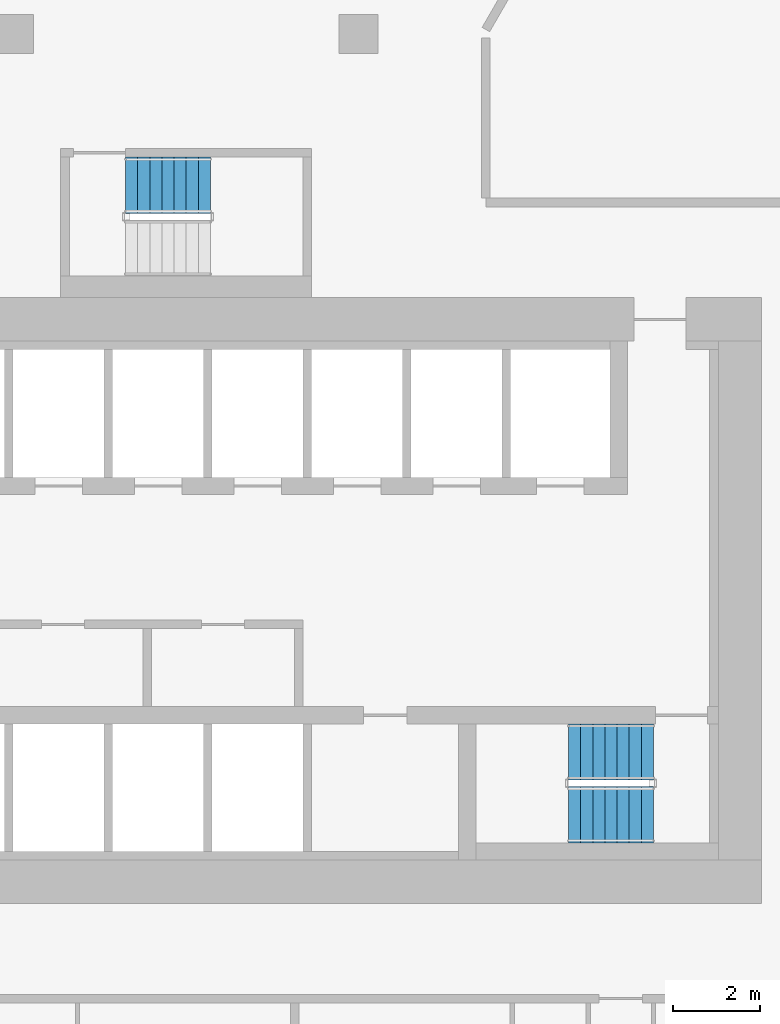
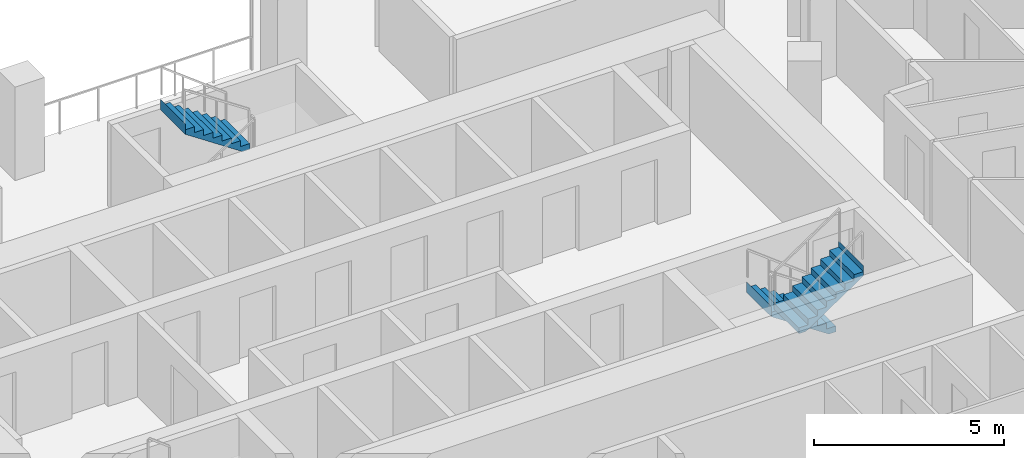
# One storey, part 11 of 15: 3 stair flights, 2 elements without a shape of their own.
"""IFC4 building model written with IfcOpenShell, lengths in metres."""

from ifc_helpers import new_model, si_unit, direction, frame, origin, place, context, subcontext, project, spatial, triangles, material, type_object, element, aggregate, save


model = new_model("IFC4")

# Units and contexts
model_context = context("Model", 3, precision=1e-05, world=origin(), true_north=direction((0.0, 1.0)))
body_context = subcontext(model_context, "Body", "Model", "MODEL_VIEW")
ifc_project = project(units=[si_unit("LENGTHUNIT", "METRE"), si_unit("AREAUNIT", "SQUARE_METRE"), si_unit("VOLUMEUNIT", "CUBIC_METRE"), si_unit("PLANEANGLEUNIT", "RADIAN"), si_unit("MASSUNIT", "GRAM", prefix="KILO")], contexts=[model_context])

# Site, building, storey
site_placement = place(None, origin())
site = spatial("IfcSite", under=ifc_project, at=site_placement, CompositionType="ELEMENT")
building_placement = place(site_placement, origin())
building = spatial("IfcBuilding", under=site, at=building_placement, Name="Beryl Residences", CompositionType="ELEMENT")
storey_placement = place(building_placement, frame((0.0, 0.0, 102.0)))
storey = spatial("IfcBuildingStorey", under=building, at=storey_placement, Name="L31", CompositionType="ELEMENT", Elevation=102.0)

# Stair, stair flights
ifc_material_1 = material(Name="Concrete C40/50", Category="concrete")
stair_type = type_object("IfcStairType", Name="ST1 protected exit stair, half-turn, 1300 mm flights", PredefinedType="HALF_TURN_STAIR", material=ifc_material_1)
stair_1_placement = place(storey_placement, origin())
stair_1 = element("IfcStair", 1, at=stair_1_placement, inside=storey, type_object=stair_type, Name="L31 PROTECTED EXIT STAIR ST-3", PredefinedType="HALF_TURN_STAIR")
ifc_material_2 = material(Name="Concrete C40/50", Category="concrete")
stair_flight_type = type_object("IfcStairFlightType", Name="SF1 stair flight 1300 mm", PredefinedType="STRAIGHT", material=ifc_material_2)
stair_flight_1_placement = place(storey_placement, frame((10.800048828125, -15.5, 0.0), z_axis=(0.0, 0.0, 1.0), x_axis=(-1.0, 0.0, 0.0)))
stair_flight_1 = element("IfcStairFlight", 2, at=stair_flight_1_placement, type_object=stair_flight_type, Name="ST-3 flight 1", NumberOfRisers=8, NumberOfTreads=7, PredefinedType="STRAIGHT", RiserHeight=0.1875, TreadLength=0.28, context=body_context, shape_type="Tessellation", body=[
    triangles([(0.0, -0.64990234375, 0.0), (0.0, -0.324951171875, 0.0), (0.0, 0.0, 0.0), (0.0, 0.324951171875, 0.0), (0.0, 0.64990234375, 0.0), (0.0, -0.64990234375, 0.1875), (0.0, -0.324951171875, 0.1875), (0.0, 0.0, 0.1875), (0.0, 0.324951171875, 0.1875), (0.0, 0.64990234375, 0.1875), (0.280029296875, -0.64990234375, 0.1875), (0.280029296875, -0.324951171875, 0.1875), (0.280029296875, 0.0, 0.1875), (0.280029296875, 0.324951171875, 0.1875), (0.280029296875, 0.64990234375, 0.1875), (0.280029296875, -0.64990234375, 0.375), (0.280029296875, -0.324951171875, 0.375), (0.280029296875, 0.0, 0.375), (0.280029296875, 0.324951171875, 0.375), (0.280029296875, 0.64990234375, 0.375), (0.56005859375, -0.64990234375, 0.375), (0.56005859375, -0.324951171875, 0.375), (0.56005859375, 0.0, 0.375), (0.56005859375, 0.324951171875, 0.375), (0.56005859375, 0.64990234375, 0.375), (0.56005859375, -0.64990234375, 0.5625), (0.56005859375, -0.324951171875, 0.5625), (0.56005859375, 0.0, 0.5625), (0.56005859375, 0.324951171875, 0.5625), (0.56005859375, 0.64990234375, 0.5625), (0.840087890625, -0.64990234375, 0.5625), (0.840087890625, -0.324951171875, 0.5625), (0.840087890625, 0.0, 0.5625), (0.840087890625, 0.324951171875, 0.5625), (0.840087890625, 0.64990234375, 0.5625), (0.840087890625, -0.64990234375, 0.75), (0.840087890625, -0.324951171875, 0.75), (0.840087890625, 0.0, 0.75), (0.840087890625, 0.324951171875, 0.75), (0.840087890625, 0.64990234375, 0.75), (1.1201171875, -0.64990234375, 0.75), (1.1201171875, -0.324951171875, 0.75), (1.1201171875, 0.0, 0.75), (1.1201171875, 0.324951171875, 0.75), (1.1201171875, 0.64990234375, 0.75), (1.1201171875, -0.64990234375, 0.9375), (1.1201171875, -0.324951171875, 0.9375), (1.1201171875, 0.0, 0.9375), (1.1201171875, 0.324951171875, 0.9375), (1.1201171875, 0.64990234375, 0.9375), (1.39990234375, -0.64990234375, 0.9375), (1.39990234375, -0.324951171875, 0.9375), (1.39990234375, 0.0, 0.9375), (1.39990234375, 0.324951171875, 0.9375), (1.39990234375, 0.64990234375, 0.9375), (1.39990234375, -0.64990234375, 1.125), (1.39990234375, -0.324951171875, 1.125), (1.39990234375, 0.0, 1.125), (1.39990234375, 0.324951171875, 1.125), (1.39990234375, 0.64990234375, 1.125), (1.679931640625, -0.64990234375, 1.125), (1.679931640625, -0.324951171875, 1.125), (1.679931640625, 0.0, 1.125), (1.679931640625, 0.324951171875, 1.125), (1.679931640625, 0.64990234375, 1.125), (1.679931640625, -0.64990234375, 1.3125), (1.679931640625, -0.324951171875, 1.3125), (1.679931640625, 0.0, 1.3125), (1.679931640625, 0.324951171875, 1.3125), (1.679931640625, 0.64990234375, 1.3125), (1.9599609375, -0.64990234375, 1.3125), (1.9599609375, -0.324951171875, 1.3125), (1.9599609375, 0.0, 1.3125), (1.9599609375, 0.324951171875, 1.3125), (1.9599609375, 0.64990234375, 1.3125), (1.9599609375, -0.64990234375, 1.5), (1.9599609375, -0.324951171875, 1.5), (1.9599609375, 0.0, 1.5), (1.9599609375, 0.324951171875, 1.5), (1.9599609375, 0.64990234375, 1.5), (1.9609375, -0.64990234375, 1.5), (1.9609375, -0.324951171875, 1.5), (1.9609375, 0.0, 1.5), (1.9609375, 0.324951171875, 1.5), (1.9609375, 0.64990234375, 1.5), (1.9609375, -0.64990234375, 1.16796875), (1.9609375, -0.324951171875, 1.16796875), (1.9609375, 0.0, 1.16796875), (1.9609375, 0.324951171875, 1.16796875), (1.9609375, 0.64990234375, 1.16796875), (0.216796875, -0.64990234375, 0.0), (0.216796875, -0.324951171875, 0.0), (0.216796875, 0.0, 0.0), (0.216796875, 0.324951171875, 0.0), (0.216796875, 0.64990234375, 0.0)], [[1, 6, 7], [1, 7, 2], [2, 7, 8], [2, 8, 3], [3, 8, 9], [3, 9, 4], [4, 9, 10], [4, 10, 5], [6, 11, 12], [6, 12, 7], [7, 12, 13], [7, 13, 8], [8, 13, 14], [8, 14, 9], [9, 14, 15], [9, 15, 10], [11, 16, 17], [11, 17, 12], [12, 17, 18], [12, 18, 13], [13, 18, 19], [13, 19, 14], [14, 19, 20], [14, 20, 15], [16, 21, 22], [16, 22, 17], [17, 22, 23], [17, 23, 18], [18, 23, 24], [18, 24, 19], [19, 24, 25], [19, 25, 20], [21, 26, 27], [21, 27, 22], [22, 27, 28], [22, 28, 23], [23, 28, 29], [23, 29, 24], [24, 29, 30], [24, 30, 25], [26, 31, 32], [26, 32, 27], [27, 32, 33], [27, 33, 28], [28, 33, 34], [28, 34, 29], [29, 34, 35], [29, 35, 30], [31, 36, 37], [31, 37, 32], [32, 37, 38], [32, 38, 33], [33, 38, 39], [33, 39, 34], [34, 39, 40], [34, 40, 35], [36, 41, 42], [36, 42, 37], [37, 42, 43], [37, 43, 38], [38, 43, 44], [38, 44, 39], [39, 44, 45], [39, 45, 40], [41, 46, 47], [41, 47, 42], [42, 47, 48], [42, 48, 43], [43, 48, 49], [43, 49, 44], [44, 49, 50], [44, 50, 45], [46, 51, 52], [46, 52, 47], [47, 52, 53], [47, 53, 48], [48, 53, 54], [48, 54, 49], [49, 54, 55], [49, 55, 50], [51, 56, 57], [51, 57, 52], [52, 57, 58], [52, 58, 53], [53, 58, 59], [53, 59, 54], [54, 59, 60], [54, 60, 55], [56, 61, 62], [56, 62, 57], [57, 62, 63], [57, 63, 58], [58, 63, 64], [58, 64, 59], [59, 64, 65], [59, 65, 60], [61, 66, 67], [61, 67, 62], [62, 67, 68], [62, 68, 63], [63, 68, 69], [63, 69, 64], [64, 69, 70], [64, 70, 65], [66, 71, 72], [66, 72, 67], [67, 72, 73], [67, 73, 68], [68, 73, 74], [68, 74, 69], [69, 74, 75], [69, 75, 70], [71, 76, 77], [71, 77, 72], [72, 77, 78], [72, 78, 73], [73, 78, 79], [73, 79, 74], [74, 79, 80], [74, 80, 75], [76, 81, 82], [76, 82, 77], [77, 82, 83], [77, 83, 78], [78, 83, 84], [78, 84, 79], [79, 84, 85], [79, 85, 80], [81, 86, 87], [81, 87, 82], [82, 87, 88], [82, 88, 83], [83, 88, 89], [83, 89, 84], [84, 89, 90], [84, 90, 85], [86, 91, 92], [86, 92, 87], [87, 92, 93], [87, 93, 88], [88, 93, 94], [88, 94, 89], [89, 94, 95], [89, 95, 90], [91, 1, 2], [91, 2, 92], [92, 2, 3], [92, 3, 93], [93, 3, 4], [93, 4, 94], [94, 4, 5], [94, 5, 95], [1, 91, 86], [5, 90, 95], [86, 81, 76], [90, 80, 85], [86, 76, 71], [90, 75, 80], [86, 71, 66], [90, 70, 75], [86, 66, 61], [90, 65, 70], [61, 56, 51], [65, 55, 60], [86, 61, 51], [90, 55, 65], [51, 46, 41], [55, 45, 50], [86, 51, 41], [90, 45, 55], [41, 36, 31], [45, 35, 40], [86, 41, 31], [90, 35, 45], [31, 26, 21], [35, 25, 30], [86, 31, 21], [90, 25, 35], [21, 16, 11], [25, 15, 20], [86, 21, 11], [90, 15, 25], [1, 86, 11], [5, 15, 90], [11, 6, 1], [15, 5, 10]], closed=True),
])
stair_flight_2_placement = place(storey_placement, frame((8.840087890625, -16.949951171875, 1.5), z_axis=(0.0, 0.0, 1.0), x_axis=(1.0, 0.0, 0.0)))
stair_flight_2 = element("IfcStairFlight", 3, at=stair_flight_2_placement, type_object=stair_flight_type, Name="ST-3 flight 2", NumberOfRisers=8, NumberOfTreads=7, PredefinedType="STRAIGHT", RiserHeight=0.1875, TreadLength=0.28, context=body_context, shape_type="Tessellation", body=[
    triangles([(0.0, -0.64990234375, 0.0), (0.0, -0.324951171875, 0.0), (0.0, 0.0, 0.0), (0.0, 0.324951171875, 0.0), (0.0, 0.64990234375, 0.0), (0.0, -0.64990234375, 0.1875), (0.0, -0.324951171875, 0.1875), (0.0, 0.0, 0.1875), (0.0, 0.324951171875, 0.1875), (0.0, 0.64990234375, 0.1875), (0.280029296875, -0.64990234375, 0.1875), (0.280029296875, -0.324951171875, 0.1875), (0.280029296875, 0.0, 0.1875), (0.280029296875, 0.324951171875, 0.1875), (0.280029296875, 0.64990234375, 0.1875), (0.280029296875, -0.64990234375, 0.375), (0.280029296875, -0.324951171875, 0.375), (0.280029296875, 0.0, 0.375), (0.280029296875, 0.324951171875, 0.375), (0.280029296875, 0.64990234375, 0.375), (0.56005859375, -0.64990234375, 0.375), (0.56005859375, -0.324951171875, 0.375), (0.56005859375, 0.0, 0.375), (0.56005859375, 0.324951171875, 0.375), (0.56005859375, 0.64990234375, 0.375), (0.56005859375, -0.64990234375, 0.5625), (0.56005859375, -0.324951171875, 0.5625), (0.56005859375, 0.0, 0.5625), (0.56005859375, 0.324951171875, 0.5625), (0.56005859375, 0.64990234375, 0.5625), (0.840087890625, -0.64990234375, 0.5625), (0.840087890625, -0.324951171875, 0.5625), (0.840087890625, 0.0, 0.5625), (0.840087890625, 0.324951171875, 0.5625), (0.840087890625, 0.64990234375, 0.5625), (0.840087890625, -0.64990234375, 0.75), (0.840087890625, -0.324951171875, 0.75), (0.840087890625, 0.0, 0.75), (0.840087890625, 0.324951171875, 0.75), (0.840087890625, 0.64990234375, 0.75), (1.1201171875, -0.64990234375, 0.75), (1.1201171875, -0.324951171875, 0.75), (1.1201171875, 0.0, 0.75), (1.1201171875, 0.324951171875, 0.75), (1.1201171875, 0.64990234375, 0.75), (1.1201171875, -0.64990234375, 0.9375), (1.1201171875, -0.324951171875, 0.9375), (1.1201171875, 0.0, 0.9375), (1.1201171875, 0.324951171875, 0.9375), (1.1201171875, 0.64990234375, 0.9375), (1.39990234375, -0.64990234375, 0.9375), (1.39990234375, -0.324951171875, 0.9375), (1.39990234375, 0.0, 0.9375), (1.39990234375, 0.324951171875, 0.9375), (1.39990234375, 0.64990234375, 0.9375), (1.39990234375, -0.64990234375, 1.125), (1.39990234375, -0.324951171875, 1.125), (1.39990234375, 0.0, 1.125), (1.39990234375, 0.324951171875, 1.125), (1.39990234375, 0.64990234375, 1.125), (1.679931640625, -0.64990234375, 1.125), (1.679931640625, -0.324951171875, 1.125), (1.679931640625, 0.0, 1.125), (1.679931640625, 0.324951171875, 1.125), (1.679931640625, 0.64990234375, 1.125), (1.679931640625, -0.64990234375, 1.3125), (1.679931640625, -0.324951171875, 1.3125), (1.679931640625, 0.0, 1.3125), (1.679931640625, 0.324951171875, 1.3125), (1.679931640625, 0.64990234375, 1.3125), (1.9599609375, -0.64990234375, 1.3125), (1.9599609375, -0.324951171875, 1.3125), (1.9599609375, 0.0, 1.3125), (1.9599609375, 0.324951171875, 1.3125), (1.9599609375, 0.64990234375, 1.3125), (1.9599609375, -0.64990234375, 1.5), (1.9599609375, -0.324951171875, 1.5), (1.9599609375, 0.0, 1.5), (1.9599609375, 0.324951171875, 1.5), (1.9599609375, 0.64990234375, 1.5), (1.9609375, -0.64990234375, 1.5), (1.9609375, -0.324951171875, 1.5), (1.9609375, 0.0, 1.5), (1.9609375, 0.324951171875, 1.5), (1.9609375, 0.64990234375, 1.5), (1.9609375, -0.64990234375, 1.16796875), (1.9609375, -0.324951171875, 1.16796875), (1.9609375, 0.0, 1.16796875), (1.9609375, 0.324951171875, 1.16796875), (1.9609375, 0.64990234375, 1.16796875), (0.216796875, -0.64990234375, 0.0), (0.216796875, -0.324951171875, 0.0), (0.216796875, 0.0, 0.0), (0.216796875, 0.324951171875, 0.0), (0.216796875, 0.64990234375, 0.0)], [[1, 6, 7], [1, 7, 2], [2, 7, 8], [2, 8, 3], [3, 8, 9], [3, 9, 4], [4, 9, 10], [4, 10, 5], [6, 11, 12], [6, 12, 7], [7, 12, 13], [7, 13, 8], [8, 13, 14], [8, 14, 9], [9, 14, 15], [9, 15, 10], [11, 16, 17], [11, 17, 12], [12, 17, 18], [12, 18, 13], [13, 18, 19], [13, 19, 14], [14, 19, 20], [14, 20, 15], [16, 21, 22], [16, 22, 17], [17, 22, 23], [17, 23, 18], [18, 23, 24], [18, 24, 19], [19, 24, 25], [19, 25, 20], [21, 26, 27], [21, 27, 22], [22, 27, 28], [22, 28, 23], [23, 28, 29], [23, 29, 24], [24, 29, 30], [24, 30, 25], [26, 31, 32], [26, 32, 27], [27, 32, 33], [27, 33, 28], [28, 33, 34], [28, 34, 29], [29, 34, 35], [29, 35, 30], [31, 36, 37], [31, 37, 32], [32, 37, 38], [32, 38, 33], [33, 38, 39], [33, 39, 34], [34, 39, 40], [34, 40, 35], [36, 41, 42], [36, 42, 37], [37, 42, 43], [37, 43, 38], [38, 43, 44], [38, 44, 39], [39, 44, 45], [39, 45, 40], [41, 46, 47], [41, 47, 42], [42, 47, 48], [42, 48, 43], [43, 48, 49], [43, 49, 44], [44, 49, 50], [44, 50, 45], [46, 51, 52], [46, 52, 47], [47, 52, 53], [47, 53, 48], [48, 53, 54], [48, 54, 49], [49, 54, 55], [49, 55, 50], [51, 56, 57], [51, 57, 52], [52, 57, 58], [52, 58, 53], [53, 58, 59], [53, 59, 54], [54, 59, 60], [54, 60, 55], [56, 61, 62], [56, 62, 57], [57, 62, 63], [57, 63, 58], [58, 63, 64], [58, 64, 59], [59, 64, 65], [59, 65, 60], [61, 66, 67], [61, 67, 62], [62, 67, 68], [62, 68, 63], [63, 68, 69], [63, 69, 64], [64, 69, 70], [64, 70, 65], [66, 71, 72], [66, 72, 67], [67, 72, 73], [67, 73, 68], [68, 73, 74], [68, 74, 69], [69, 74, 75], [69, 75, 70], [71, 76, 77], [71, 77, 72], [72, 77, 78], [72, 78, 73], [73, 78, 79], [73, 79, 74], [74, 79, 80], [74, 80, 75], [76, 81, 82], [76, 82, 77], [77, 82, 83], [77, 83, 78], [78, 83, 84], [78, 84, 79], [79, 84, 85], [79, 85, 80], [81, 86, 87], [81, 87, 82], [82, 87, 88], [82, 88, 83], [83, 88, 89], [83, 89, 84], [84, 89, 90], [84, 90, 85], [86, 91, 92], [86, 92, 87], [87, 92, 93], [87, 93, 88], [88, 93, 94], [88, 94, 89], [89, 94, 95], [89, 95, 90], [91, 1, 2], [91, 2, 92], [92, 2, 3], [92, 3, 93], [93, 3, 4], [93, 4, 94], [94, 4, 5], [94, 5, 95], [1, 91, 86], [5, 90, 95], [86, 81, 76], [90, 80, 85], [86, 76, 71], [90, 75, 80], [86, 71, 66], [90, 70, 75], [86, 66, 61], [90, 65, 70], [61, 56, 51], [65, 55, 60], [86, 61, 51], [90, 55, 65], [51, 46, 41], [55, 45, 50], [86, 51, 41], [90, 45, 55], [41, 36, 31], [45, 35, 40], [86, 41, 31], [90, 35, 45], [31, 26, 21], [35, 25, 30], [86, 31, 21], [90, 25, 35], [21, 16, 11], [25, 15, 20], [86, 21, 11], [90, 15, 25], [1, 86, 11], [5, 15, 90], [11, 6, 1], [15, 5, 10]], closed=True),
])
aggregate(stair_1, [stair_flight_1, stair_flight_2])

# Stair, stair flight
stair_2_placement = place(storey_placement, origin())
stair_2 = element("IfcStair", 4, at=stair_2_placement, inside=storey, type_object=stair_type, Name="L31 PROTECTED EXIT STAIR ST-4", PredefinedType="HALF_TURN_STAIR")
stair_flight_3_placement = place(storey_placement, frame((0.56005859375, -2.39990234375, 1.5), z_axis=(0.0, 0.0, 1.0), x_axis=(-1.0, 0.0, 0.0)))
stair_flight_3 = element("IfcStairFlight", 5, at=stair_flight_3_placement, type_object=stair_flight_type, Name="ST-4 flight 2", NumberOfRisers=8, NumberOfTreads=7, PredefinedType="STRAIGHT", RiserHeight=0.1875, TreadLength=0.28, context=body_context, shape_type="Tessellation", body=[
    triangles([(0.0, -0.64990234375, 0.0), (0.0, -0.324951171875, 0.0), (0.0, 0.0, 0.0), (0.0, 0.324951171875, 0.0), (0.0, 0.64990234375, 0.0), (0.0, -0.64990234375, 0.1875), (0.0, -0.324951171875, 0.1875), (0.0, 0.0, 0.1875), (0.0, 0.324951171875, 0.1875), (0.0, 0.64990234375, 0.1875), (0.280029296875, -0.64990234375, 0.1875), (0.280029296875, -0.324951171875, 0.1875), (0.280029296875, 0.0, 0.1875), (0.280029296875, 0.324951171875, 0.1875), (0.280029296875, 0.64990234375, 0.1875), (0.280029296875, -0.64990234375, 0.375), (0.280029296875, -0.324951171875, 0.375), (0.280029296875, 0.0, 0.375), (0.280029296875, 0.324951171875, 0.375), (0.280029296875, 0.64990234375, 0.375), (0.56005859375, -0.64990234375, 0.375), (0.56005859375, -0.324951171875, 0.375), (0.56005859375, 0.0, 0.375), (0.56005859375, 0.324951171875, 0.375), (0.56005859375, 0.64990234375, 0.375), (0.56005859375, -0.64990234375, 0.5625), (0.56005859375, -0.324951171875, 0.5625), (0.56005859375, 0.0, 0.5625), (0.56005859375, 0.324951171875, 0.5625), (0.56005859375, 0.64990234375, 0.5625), (0.840087890625, -0.64990234375, 0.5625), (0.840087890625, -0.324951171875, 0.5625), (0.840087890625, 0.0, 0.5625), (0.840087890625, 0.324951171875, 0.5625), (0.840087890625, 0.64990234375, 0.5625), (0.840087890625, -0.64990234375, 0.75), (0.840087890625, -0.324951171875, 0.75), (0.840087890625, 0.0, 0.75), (0.840087890625, 0.324951171875, 0.75), (0.840087890625, 0.64990234375, 0.75), (1.1201171875, -0.64990234375, 0.75), (1.1201171875, -0.324951171875, 0.75), (1.1201171875, 0.0, 0.75), (1.1201171875, 0.324951171875, 0.75), (1.1201171875, 0.64990234375, 0.75), (1.1201171875, -0.64990234375, 0.9375), (1.1201171875, -0.324951171875, 0.9375), (1.1201171875, 0.0, 0.9375), (1.1201171875, 0.324951171875, 0.9375), (1.1201171875, 0.64990234375, 0.9375), (1.39990234375, -0.64990234375, 0.9375), (1.39990234375, -0.324951171875, 0.9375), (1.39990234375, 0.0, 0.9375), (1.39990234375, 0.324951171875, 0.9375), (1.39990234375, 0.64990234375, 0.9375), (1.39990234375, -0.64990234375, 1.125), (1.39990234375, -0.324951171875, 1.125), (1.39990234375, 0.0, 1.125), (1.39990234375, 0.324951171875, 1.125), (1.39990234375, 0.64990234375, 1.125), (1.679931640625, -0.64990234375, 1.125), (1.679931640625, -0.324951171875, 1.125), (1.679931640625, 0.0, 1.125), (1.679931640625, 0.324951171875, 1.125), (1.679931640625, 0.64990234375, 1.125), (1.679931640625, -0.64990234375, 1.3125), (1.679931640625, -0.324951171875, 1.3125), (1.679931640625, 0.0, 1.3125), (1.679931640625, 0.324951171875, 1.3125), (1.679931640625, 0.64990234375, 1.3125), (1.9599609375, -0.64990234375, 1.3125), (1.9599609375, -0.324951171875, 1.3125), (1.9599609375, 0.0, 1.3125), (1.9599609375, 0.324951171875, 1.3125), (1.9599609375, 0.64990234375, 1.3125), (1.9599609375, -0.64990234375, 1.5), (1.9599609375, -0.324951171875, 1.5), (1.9599609375, 0.0, 1.5), (1.9599609375, 0.324951171875, 1.5), (1.9599609375, 0.64990234375, 1.5), (1.9609375, -0.64990234375, 1.5), (1.9609375, -0.324951171875, 1.5), (1.9609375, 0.0, 1.5), (1.9609375, 0.324951171875, 1.5), (1.9609375, 0.64990234375, 1.5), (1.9609375, -0.64990234375, 1.16796875), (1.9609375, -0.324951171875, 1.16796875), (1.9609375, 0.0, 1.16796875), (1.9609375, 0.324951171875, 1.16796875), (1.9609375, 0.64990234375, 1.16796875), (0.216796875, -0.64990234375, 0.0), (0.216796875, -0.324951171875, 0.0), (0.216796875, 0.0, 0.0), (0.216796875, 0.324951171875, 0.0), (0.216796875, 0.64990234375, 0.0)], [[1, 6, 7], [1, 7, 2], [2, 7, 8], [2, 8, 3], [3, 8, 9], [3, 9, 4], [4, 9, 10], [4, 10, 5], [6, 11, 12], [6, 12, 7], [7, 12, 13], [7, 13, 8], [8, 13, 14], [8, 14, 9], [9, 14, 15], [9, 15, 10], [11, 16, 17], [11, 17, 12], [12, 17, 18], [12, 18, 13], [13, 18, 19], [13, 19, 14], [14, 19, 20], [14, 20, 15], [16, 21, 22], [16, 22, 17], [17, 22, 23], [17, 23, 18], [18, 23, 24], [18, 24, 19], [19, 24, 25], [19, 25, 20], [21, 26, 27], [21, 27, 22], [22, 27, 28], [22, 28, 23], [23, 28, 29], [23, 29, 24], [24, 29, 30], [24, 30, 25], [26, 31, 32], [26, 32, 27], [27, 32, 33], [27, 33, 28], [28, 33, 34], [28, 34, 29], [29, 34, 35], [29, 35, 30], [31, 36, 37], [31, 37, 32], [32, 37, 38], [32, 38, 33], [33, 38, 39], [33, 39, 34], [34, 39, 40], [34, 40, 35], [36, 41, 42], [36, 42, 37], [37, 42, 43], [37, 43, 38], [38, 43, 44], [38, 44, 39], [39, 44, 45], [39, 45, 40], [41, 46, 47], [41, 47, 42], [42, 47, 48], [42, 48, 43], [43, 48, 49], [43, 49, 44], [44, 49, 50], [44, 50, 45], [46, 51, 52], [46, 52, 47], [47, 52, 53], [47, 53, 48], [48, 53, 54], [48, 54, 49], [49, 54, 55], [49, 55, 50], [51, 56, 57], [51, 57, 52], [52, 57, 58], [52, 58, 53], [53, 58, 59], [53, 59, 54], [54, 59, 60], [54, 60, 55], [56, 61, 62], [56, 62, 57], [57, 62, 63], [57, 63, 58], [58, 63, 64], [58, 64, 59], [59, 64, 65], [59, 65, 60], [61, 66, 67], [61, 67, 62], [62, 67, 68], [62, 68, 63], [63, 68, 69], [63, 69, 64], [64, 69, 70], [64, 70, 65], [66, 71, 72], [66, 72, 67], [67, 72, 73], [67, 73, 68], [68, 73, 74], [68, 74, 69], [69, 74, 75], [69, 75, 70], [71, 76, 77], [71, 77, 72], [72, 77, 78], [72, 78, 73], [73, 78, 79], [73, 79, 74], [74, 79, 80], [74, 80, 75], [76, 81, 82], [76, 82, 77], [77, 82, 83], [77, 83, 78], [78, 83, 84], [78, 84, 79], [79, 84, 85], [79, 85, 80], [81, 86, 87], [81, 87, 82], [82, 87, 88], [82, 88, 83], [83, 88, 89], [83, 89, 84], [84, 89, 90], [84, 90, 85], [86, 91, 92], [86, 92, 87], [87, 92, 93], [87, 93, 88], [88, 93, 94], [88, 94, 89], [89, 94, 95], [89, 95, 90], [91, 1, 2], [91, 2, 92], [92, 2, 3], [92, 3, 93], [93, 3, 4], [93, 4, 94], [94, 4, 5], [94, 5, 95], [1, 91, 86], [5, 90, 95], [86, 81, 76], [90, 80, 85], [86, 76, 71], [90, 75, 80], [86, 71, 66], [90, 70, 75], [86, 66, 61], [90, 65, 70], [61, 56, 51], [65, 55, 60], [86, 61, 51], [90, 55, 65], [51, 46, 41], [55, 45, 50], [86, 51, 41], [90, 45, 55], [41, 36, 31], [45, 35, 40], [86, 41, 31], [90, 35, 45], [31, 26, 21], [35, 25, 30], [86, 31, 21], [90, 25, 35], [21, 16, 11], [25, 15, 20], [86, 21, 11], [90, 15, 25], [1, 86, 11], [5, 15, 90], [11, 6, 1], [15, 5, 10]], closed=True),
])
aggregate(stair_2, [stair_flight_3])

save(model, "model.ifc")
